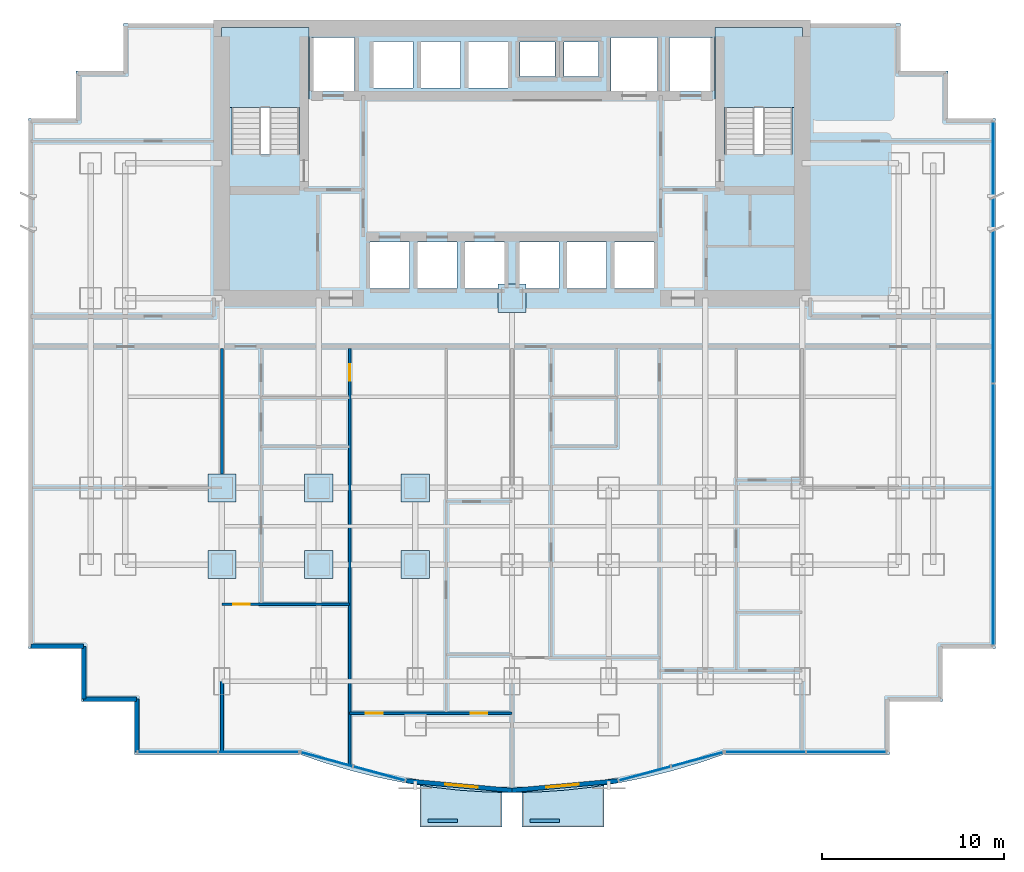
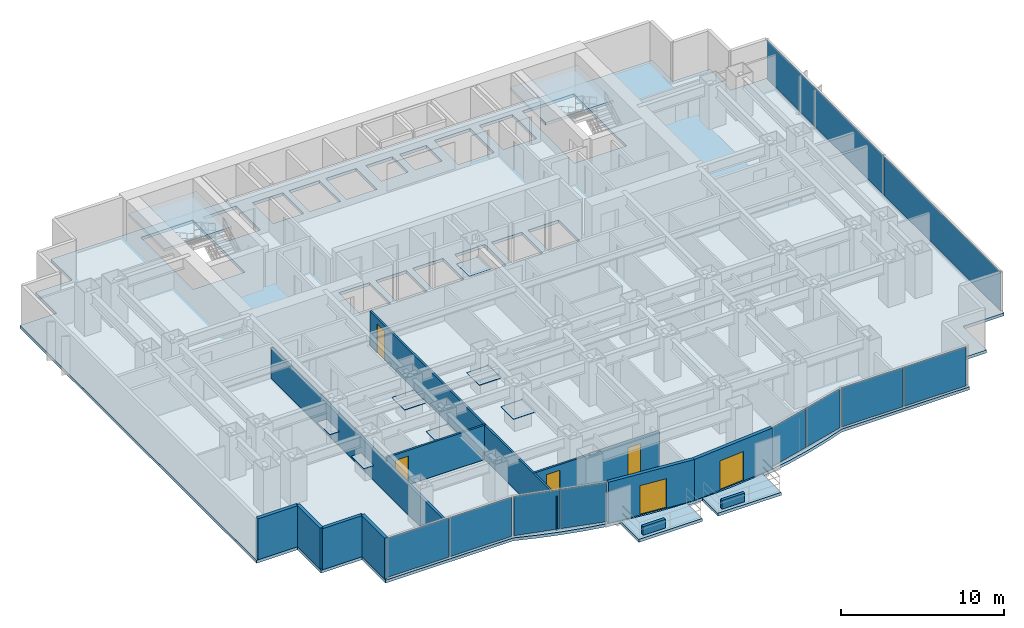
# One storey, part 6 of 12: 17 plates, 12 walls, 6 doors, 5 slabs, 6 openings, 7 elements without a shape of their own.
"""IFC4 building model written with IfcOpenShell, lengths in metres."""

from ifc_helpers import new_model, si_unit, direction, frame, frame_2d, origin, origin_2d, place, context, subcontext, project, spatial, polyline, rectangle, outline, extrude, source, transform, mapped, material, layer, layer_set, type_object, element, fill, aggregate, save


model = new_model("IFC4")

# Units and contexts
model_context = context("Model", 3, precision=1e-05, world=origin(), true_north=direction((0.0, 1.0)))
body_context = subcontext(model_context, "Body", "Model", "MODEL_VIEW")
ifc_project = project(units=[si_unit("LENGTHUNIT", "METRE"), si_unit("AREAUNIT", "SQUARE_METRE"), si_unit("VOLUMEUNIT", "CUBIC_METRE"), si_unit("PLANEANGLEUNIT", "RADIAN"), si_unit("MASSUNIT", "GRAM", prefix="KILO")], contexts=[model_context])

# Site, building, storey
site_placement = place(None, origin())
site = spatial("IfcSite", under=ifc_project, at=site_placement, CompositionType="ELEMENT")
building_placement = place(site_placement, origin())
building = spatial("IfcBuilding", under=site, at=building_placement, Name="Qianlan Lanfeng Residences", CompositionType="ELEMENT")
storey_placement = place(building_placement, frame((0.0, 0.0, 47.300048828125)))
storey = spatial("IfcBuildingStorey", under=building, at=storey_placement, Name="L12", CompositionType="ELEMENT", Elevation=47.300048828125)

# Slabs
ifc_material_1 = material(Name="Concrete C42", Category="concrete")
ifc_layer_1 = layer(ifc_material_1, 0.219970703125)
ifc_layer_set_1 = layer_set([ifc_layer_1], Name="Concrete C42")
slab_type_1 = type_object("IfcSlabType", Name="S-BAL-220", PredefinedType="FLOOR", material=ifc_layer_set_1)
slab_1_placement = place(storey_placement, frame((0.0, 0.0, -0.219970703125)))
element("IfcSlab", 1, at=slab_1_placement, inside=storey, type_object=slab_type_1, Name="L12 Planted Tree Balcony Slab SB-W", PredefinedType="FLOOR", context=body_context, shape_type="SweptSolid", body=[
    extrude(outline(polyline([(25.949951171875, -1.887939453125), (25.0439453125, -1.866943359375), (23.5869140625, -1.76904296875), (22.131103515625, -1.60498046875), (21.449951171875, -1.4970703125), (21.449951171875, -3.800048828125), (25.949951171875, -3.800048828125), (25.949951171875, -1.887939453125)])), origin(), (0.0, 0.0, 1.0), 0.219970703125),
])
slab_2_placement = place(storey_placement, frame((0.0, 0.0, -0.219970703125)))
element("IfcSlab", 2, at=slab_2_placement, inside=storey, type_object=slab_type_1, Name="L12 Planted Tree Balcony Slab SB-E", PredefinedType="FLOOR", context=body_context, shape_type="SweptSolid", body=[
    extrude(outline(polyline([(31.550048828125, -1.4970703125), (30.868896484375, -1.60498046875), (29.412109375, -1.76904296875), (27.9560546875, -1.866943359375), (27.050048828125, -1.887939453125), (27.050048828125, -3.800048828125), (31.550048828125, -3.800048828125), (31.550048828125, -1.4970703125)])), origin(), (0.0, 0.0, 1.0), 0.219970703125),
])
ifc_layer_2 = layer(ifc_material_1, 0.219970703125)
ifc_layer_set_2 = layer_set([ifc_layer_2], Name="Concrete C42")
slab_type_2 = type_object("IfcSlabType", Name="S-FL-220", PredefinedType="FLOOR", material=ifc_layer_set_2)
slab_3_placement = place(storey_placement, frame((0.0, 0.0, -0.219970703125)))
element("IfcSlab", 3, at=slab_3_placement, inside=storey, type_object=slab_type_2, Name="L12 Structural Floor Slab", PredefinedType="FLOOR", context=body_context, shape_type="SweptSolid", body=[
    extrude(outline(polyline([(0.0, 6.0), (2.89990234375, 6.0), (2.89990234375, 3.10009765625), (5.800048828125, 3.10009765625), (5.800048828125, 0.199951171875), (14.85009765625, 0.199951171875), (16.305908203125, -0.2919921875), (17.761962890625, -0.718994140625), (19.218994140625, -1.080078125), (20.675048828125, -1.375), (22.131103515625, -1.60498046875), (23.5869140625, -1.76904296875), (25.0439453125, -1.866943359375), (26.5, -1.89990234375), (27.9560546875, -1.866943359375), (29.412109375, -1.76904296875), (30.868896484375, -1.60498046875), (32.324951171875, -1.375), (33.781005859375, -1.080078125), (35.237060546875, -0.718994140625), (36.694091796875, -0.2919921875), (38.14990234375, 0.199951171875), (47.199951171875, 0.199951171875), (47.199951171875, 3.10009765625), (50.10009765625, 3.10009765625), (50.10009765625, 6.0), (53.0, 6.0), (53.0, 35.050048828125), (50.39990234375, 35.050048828125), (50.39990234375, 37.64990234375), (47.800048828125, 37.64990234375), (47.800048828125, 40.25), (5.199951171875, 40.25), (5.199951171875, 37.64990234375), (2.60009765625, 37.64990234375), (2.60009765625, 35.050048828125), (0.0, 35.050048828125), (0.0, 6.0)]), holes=[polyline([(11.139892578125, 33.080078125), (11.139892578125, 39.5), (14.820068359375, 39.5), (14.820068359375, 33.080078125), (11.139892578125, 33.080078125)]), polyline([(38.179931640625, 33.080078125), (38.179931640625, 39.5), (41.860107421875, 39.5), (41.860107421875, 33.080078125), (38.179931640625, 33.080078125)]), polyline([(15.52001953125, 36.52001953125), (15.52001953125, 39.47998046875), (17.8798828125, 39.47998046875), (17.8798828125, 36.52001953125), (15.52001953125, 36.52001953125)]), polyline([(35.1201171875, 36.52001953125), (35.1201171875, 39.47998046875), (37.47998046875, 39.47998046875), (37.47998046875, 36.52001953125), (35.1201171875, 36.52001953125)]), polyline([(31.919921875, 36.52001953125), (31.919921875, 39.47998046875), (34.47998046875, 39.47998046875), (34.47998046875, 36.52001953125), (31.919921875, 36.52001953125)]), polyline([(18.719970703125, 25.719970703125), (18.719970703125, 28.280029296875), (20.8798828125, 28.280029296875), (20.8798828125, 25.719970703125), (18.719970703125, 25.719970703125)]), polyline([(21.320068359375, 25.719970703125), (21.320068359375, 28.280029296875), (23.47998046875, 28.280029296875), (23.47998046875, 25.719970703125), (21.320068359375, 25.719970703125)]), polyline([(23.919921875, 25.719970703125), (23.919921875, 28.280029296875), (26.080078125, 28.280029296875), (26.080078125, 25.719970703125), (23.919921875, 25.719970703125)]), polyline([(26.919921875, 25.719970703125), (26.919921875, 28.280029296875), (29.080078125, 28.280029296875), (29.080078125, 25.719970703125), (26.919921875, 25.719970703125)]), polyline([(29.52001953125, 25.719970703125), (29.52001953125, 28.280029296875), (31.679931640625, 28.280029296875), (31.679931640625, 25.719970703125), (29.52001953125, 25.719970703125)]), polyline([(32.1201171875, 25.719970703125), (32.1201171875, 28.280029296875), (34.280029296875, 28.280029296875), (34.280029296875, 25.719970703125), (32.1201171875, 25.719970703125)]), polyline([(18.919921875, 36.719970703125), (18.919921875, 39.280029296875), (21.080078125, 39.280029296875), (21.080078125, 36.719970703125), (18.919921875, 36.719970703125)]), polyline([(21.52001953125, 36.719970703125), (21.52001953125, 39.280029296875), (23.679931640625, 39.280029296875), (23.679931640625, 36.719970703125), (21.52001953125, 36.719970703125)]), polyline([(24.1201171875, 36.719970703125), (24.1201171875, 39.280029296875), (26.280029296875, 39.280029296875), (26.280029296875, 36.719970703125), (24.1201171875, 36.719970703125)]), polyline([(26.949951171875, 37.35009765625), (26.949951171875, 39.25), (28.85009765625, 39.25), (28.85009765625, 37.35009765625), (26.949951171875, 37.35009765625)]), polyline([(29.35009765625, 37.35009765625), (29.35009765625, 39.25), (31.25, 39.25), (31.25, 37.35009765625), (29.35009765625, 37.35009765625)])]), origin(), (0.0, 0.0, 1.0), 0.219970703125),
])

# Stair, slab
stair_type = type_object("IfcStairType", Name="STR-MAIN", PredefinedType="HALF_TURN_STAIR", material=ifc_material_1)
stair_1_placement = place(storey_placement, origin())
stair_1 = element("IfcStair", 4, at=stair_1_placement, inside=storey, type_object=stair_type, Name="L12 Exit Stair ST-1", PredefinedType="HALF_TURN_STAIR")
ifc_layer_3 = layer(ifc_material_1, 0.179931640625)
ifc_layer_set_3 = layer_set([ifc_layer_3], Name="Concrete C42")
slab_type_3 = type_object("IfcSlabType", Name="S-LND-180", PredefinedType="LANDING", material=ifc_layer_set_3)
slab_4_placement = place(storey_placement, frame((0.0, 0.0, 1.449951171875)))
slab_4 = element("IfcSlab", 5, at=slab_4_placement, type_object=slab_type_3, Name="ST-1 landing 1", PredefinedType="LANDING", context=body_context, shape_type="SweptSolid", body=[
    extrude(outline(polyline([(10.580078125, 35.659912109375), (15.3798828125, 35.659912109375), (15.3798828125, 40.050048828125), (10.580078125, 40.050048828125), (10.580078125, 35.659912109375)])), origin(), (0.0, 0.0, 1.0), 0.199951171875),
])
aggregate(stair_1, [slab_4])

stair_2_placement = place(storey_placement, origin())
stair_2 = element("IfcStair", 6, at=stair_2_placement, inside=storey, type_object=stair_type, Name="L12 Exit Stair ST-2", PredefinedType="HALF_TURN_STAIR")
slab_5_placement = place(storey_placement, frame((0.0, 0.0, 1.449951171875)))
slab_5 = element("IfcSlab", 7, at=slab_5_placement, type_object=slab_type_3, Name="ST-2 landing 1", PredefinedType="LANDING", context=body_context, shape_type="SweptSolid", body=[
    extrude(outline(polyline([(37.6201171875, 35.659912109375), (42.419921875, 35.659912109375), (42.419921875, 40.050048828125), (37.6201171875, 40.050048828125), (37.6201171875, 35.659912109375)])), origin(), (0.0, 0.0, 1.0), 0.199951171875),
])
aggregate(stair_2, [slab_5])

# Plates
ifc_material_2 = material(Name="Steel SN490B", Category="steel")
ifc_layer_4 = layer(ifc_material_2, 0.031982421875)
ifc_layer_set_4 = layer_set([ifc_layer_4], Name="Steel SN490B")
plate_type_1 = type_object("IfcPlateType", Name="NP-CAP-32", PredefinedType="USERDEFINED", material=ifc_layer_set_4)
shared_shape_1 = source(origin(), body_context, "Body", "SweptSolid", [
    extrude(rectangle(XDim=1.550048828125, YDim=1.550048828125, at=origin_2d()), origin(), (0.0, 0.0, 1.0), 0.031982421875),
])
for number, where, z_axis, x_axis, name in (
    (8, (26.5, 25.199951171875, 1.083984375), (0.0, 0.0, 1.0), (1.0, 0.0, 0.0), "L12 Column Splice Cap Plate 1"),
    (9, (10.60009765625, 14.800048828125, 1.083984375), (0.0, 0.0, 1.0), (1.0, 0.0, 0.0), "L12 Column Splice Cap Plate 2"),
    (10, (10.60009765625, 10.60009765625, 1.083984375), (0.0, 0.0, 1.0), (1.0, 0.0, 0.0), "L12 Column Splice Cap Plate 3"),
    (11, (15.89990234375, 14.800048828125, 1.083984375), (0.0, 0.0, 1.0), (1.0, 0.0, 0.0), "L12 Column Splice Cap Plate 4"),
    (12, (15.89990234375, 10.60009765625, 1.083984375), (0.0, 0.0, 1.0), (1.0, 0.0, 0.0), "L12 Column Splice Cap Plate 5"),
    (13, (21.199951171875, 14.800048828125, 1.083984375), (0.0, 0.0, 1.0), (1.0, 0.0, 0.0), "L12 Column Splice Cap Plate 6"),
    (14, (21.199951171875, 10.60009765625, 1.083984375), (0.0, 0.0, 1.0), (1.0, 0.0, 0.0), "L12 Column Splice Cap Plate 7"),
):
    element("IfcPlate", number, at=place(storey_placement, frame(where, z_axis=z_axis, x_axis=x_axis)), inside=storey, type_object=plate_type_1, Name=name, ObjectType="SPLICE_PLATE", PredefinedType="USERDEFINED", context=body_context, shape_type="MappedRepresentation", body=[
        mapped(shared_shape_1, transform((0.0, 0.0, 0.0), scale=1.0)),
    ])

# Curtain wall, plates
ifc_material_3 = material(Name="Anodised Bronze Aluminium 6063-T6", Category="aluminium")
ifc_layer_5 = layer(ifc_material_3, 0.219970703125)
ifc_layer_set_5 = layer_set([ifc_layer_5], Name="Anodised Bronze Aluminium 6063-T6")
curtain_wall_type = type_object("IfcCurtainWallType", Name="CW-02", PredefinedType="NOTDEFINED", material=ifc_layer_set_5)
curtain_wall_1_placement = place(storey_placement, origin())
curtain_wall_1 = element("IfcCurtainWall", 15, at=curtain_wall_1_placement, inside=storey, type_object=curtain_wall_type, Name="L12 Unitised Curtain Wall CWR-L12-01 (CW-02)", PredefinedType="NOTDEFINED")
ifc_material_4 = material(Name="Clear Low-E Insulated Glass", Category="glass")
ifc_layer_6 = layer(ifc_material_4, 0.035888671875)
ifc_layer_set_6 = layer_set([ifc_layer_6], Name="Clear Low-E Insulated Glass")
plate_type_2 = type_object("IfcPlateType", Name="PNL-GLZ-CLR", PredefinedType="CURTAIN_PANEL", material=ifc_layer_set_6)
shared_shape_2 = source(origin(), body_context, "Body", "SweptSolid", [
    extrude(rectangle(XDim=4.35693359375, YDim=0.035888671875, at=origin_2d()), origin(), (0.0, 0.0, 1.0), 2.922119140625),
])
plate_1_placement = place(storey_placement, frame((8.177490234375, 0.320068359375, 0.0791015625), z_axis=(0.0, 0.0, 1.0), x_axis=(1.0, 0.0, 0.0)))
plate_1 = element("IfcPlate", 16, at=plate_1_placement, type_object=plate_type_2, Name="CWR-L12-01 Curtain Panel 1", PredefinedType="CURTAIN_PANEL", context=body_context, shape_type="MappedRepresentation", body=[
    mapped(shared_shape_2, transform((0.0, 0.0, 0.0), scale=1.0)),
])
plate_2_placement = place(storey_placement, frame((12.612548828125, 0.320068359375, 0.0791015625), z_axis=(0.0, 0.0, 1.0), x_axis=(1.0, 0.0, 0.0)))
plate_2 = element("IfcPlate", 17, at=plate_2_placement, type_object=plate_type_2, Name="CWR-L12-01 Curtain Panel 2", PredefinedType="CURTAIN_PANEL", context=body_context, shape_type="MappedRepresentation", body=[
    mapped(shared_shape_2, transform((0.0, 0.0, 0.0), scale=1.0)),
])
aggregate(curtain_wall_1, [plate_1, plate_2])

# Curtain wall, plate
curtain_wall_2_placement = place(storey_placement, origin())
curtain_wall_2 = element("IfcCurtainWall", 18, at=curtain_wall_2_placement, inside=storey, type_object=curtain_wall_type, Name="L12 Unitised Curtain Wall CWR-L12-04 (CW-02)", PredefinedType="NOTDEFINED")
plate_3_placement = place(storey_placement, frame((40.387451171875, 0.320068359375, 0.0791015625), z_axis=(0.0, 0.0, 1.0), x_axis=(1.0, 0.0, 0.0)))
plate_3 = element("IfcPlate", 19, at=plate_3_placement, type_object=plate_type_2, Name="CWR-L12-04 Curtain Panel 1", PredefinedType="CURTAIN_PANEL", context=body_context, shape_type="MappedRepresentation", body=[
    mapped(shared_shape_2, transform((0.0, 0.0, 0.0), scale=1.0)),
])

curtain_wall_3_placement = place(storey_placement, origin())
curtain_wall_3 = element("IfcCurtainWall", 20, at=curtain_wall_3_placement, inside=storey, type_object=curtain_wall_type, Name="L12 Unitised Curtain Wall CWR-L12-02 (CW-02)", PredefinedType="NOTDEFINED")
shared_shape_3 = source(origin(), body_context, "Body", "SweptSolid", [
    extrude(rectangle(XDim=2.89990234375, YDim=0.035888671875, at=origin_2d()), origin(), (0.0, 0.0, 1.0), 2.922119140625),
])
plate_4_placement = place(storey_placement, frame((16.345703125, -0.07958984375, 0.0791015625), z_axis=(0.0, 0.0, 1.0), x_axis=(0.9652627173, -0.261281240412, 0.0)))
plate_4 = element("IfcPlate", 21, at=plate_4_placement, type_object=plate_type_2, Name="CWR-L12-02 Curtain Panel 1", PredefinedType="CURTAIN_PANEL", context=body_context, shape_type="MappedRepresentation", body=[
    mapped(shared_shape_3, transform((0.0, 0.0, 0.0), scale=1.0)),
])

# Curtain wall, plates
curtain_wall_4_placement = place(storey_placement, origin())
curtain_wall_4 = element("IfcCurtainWall", 22, at=curtain_wall_4_placement, inside=storey, type_object=curtain_wall_type, Name="L12 Unitised Curtain Wall CWR-L12-03 (CW-02)", PredefinedType="NOTDEFINED")
plate_5_placement = place(storey_placement, frame((33.77978515625, -0.857421875, 0.0791015625), z_axis=(0.0, 0.0, 1.0), x_axis=(0.9652627173, 0.261281240412, 0.0)))
plate_5 = element("IfcPlate", 23, at=plate_5_placement, type_object=plate_type_2, Name="CWR-L12-03 Curtain Panel 1", PredefinedType="CURTAIN_PANEL", context=body_context, shape_type="MappedRepresentation", body=[
    mapped(shared_shape_3, transform((0.0, 0.0, 0.0), scale=1.0)),
])
plate_6_placement = place(storey_placement, frame((36.654296875, -0.07958984375, 0.0791015625), z_axis=(0.0, 0.0, 1.0), x_axis=(0.9652627173, 0.261281240412, 0.0)))
plate_6 = element("IfcPlate", 24, at=plate_6_placement, type_object=plate_type_2, Name="CWR-L12-03 Curtain Panel 2", PredefinedType="CURTAIN_PANEL", context=body_context, shape_type="MappedRepresentation", body=[
    mapped(shared_shape_3, transform((0.0, 0.0, 0.0), scale=1.0)),
])
aggregate(curtain_wall_4, [plate_5, plate_6])

# Plate
ifc_material_5 = material(Name="Perforated Champagne Gold Aluminium Panel", Category="aluminium")
ifc_layer_7 = layer(ifc_material_5, 0.0400390625)
ifc_layer_set_7 = layer_set([ifc_layer_7], Name="Perforated Champagne Gold Aluminium Panel")
plate_type_3 = type_object("IfcPlateType", Name="PNL-PRF-GLD", PredefinedType="CURTAIN_PANEL", material=ifc_layer_set_7)
shared_shape_4 = source(origin(), body_context, "Body", "SweptSolid", [
    extrude(rectangle(XDim=2.89990234375, YDim=0.0400390625, at=origin_2d()), origin(), (0.0, 0.0, 1.0), 2.922119140625),
])
plate_7_placement = place(storey_placement, frame((19.22021484375, -0.857421875, 0.0791015625), z_axis=(0.0, 0.0, 1.0), x_axis=(0.9652627173, -0.261281240412, 0.0)))
plate_7 = element("IfcPlate", 25, at=plate_7_placement, type_object=plate_type_3, Name="CWR-L12-02 Curtain Panel 2", PredefinedType="CURTAIN_PANEL", context=body_context, shape_type="MappedRepresentation", body=[
    mapped(shared_shape_4, transform((0.0, 0.0, 0.0), scale=1.0)),
])

aggregate(curtain_wall_3, [plate_4, plate_7])

shared_shape_5 = source(origin(), body_context, "Body", "SweptSolid", [
    extrude(rectangle(XDim=4.35693359375, YDim=0.0400390625, at=origin_2d()), origin(), (0.0, 0.0, 1.0), 2.922119140625),
])
plate_8_placement = place(storey_placement, frame((44.822509765625, 0.320068359375, 0.0791015625), z_axis=(0.0, 0.0, 1.0), x_axis=(1.0, 0.0, 0.0)))
plate_8 = element("IfcPlate", 26, at=plate_8_placement, type_object=plate_type_3, Name="CWR-L12-04 Curtain Panel 2", PredefinedType="CURTAIN_PANEL", context=body_context, shape_type="MappedRepresentation", body=[
    mapped(shared_shape_5, transform((0.0, 0.0, 0.0), scale=1.0)),
])

aggregate(curtain_wall_2, [plate_3, plate_8])

# Curtain wall, plates
curtain_wall_5_placement = place(storey_placement, origin())
curtain_wall_5 = element("IfcCurtainWall", 27, at=curtain_wall_5_placement, inside=storey, type_object=curtain_wall_type, Name="L12 Unitised Curtain Wall CWR-L12-05 (CW-02)", PredefinedType="NOTDEFINED")
shared_shape_6 = source(origin(), body_context, "Body", "SweptSolid", [
    extrude(rectangle(XDim=14.287109375, YDim=0.035888671875, at=origin_2d()), origin(), (0.0, 0.0, 1.0), 2.922119140625),
])
plate_9_placement = place(storey_placement, frame((52.8798828125, 13.342529296875, 0.0791015625), z_axis=(0.0, 0.0, 1.0), x_axis=(0.0, 1.0, 0.0)))
plate_9 = element("IfcPlate", 28, at=plate_9_placement, type_object=plate_type_2, Name="CWR-L12-05 Curtain Panel 1", PredefinedType="CURTAIN_PANEL", context=body_context, shape_type="MappedRepresentation", body=[
    mapped(shared_shape_6, transform((0.0, 0.0, 0.0), scale=1.0)),
])
plate_10_placement = place(storey_placement, frame((52.8798828125, 27.70751953125, 0.0791015625), z_axis=(0.0, 0.0, 1.0), x_axis=(0.0, 1.0, 0.0)))
plate_10 = element("IfcPlate", 29, at=plate_10_placement, type_object=plate_type_2, Name="CWR-L12-05 Curtain Panel 2", PredefinedType="CURTAIN_PANEL", context=body_context, shape_type="MappedRepresentation", body=[
    mapped(shared_shape_6, transform((0.0, 0.0, 0.0), scale=1.0)),
])
aggregate(curtain_wall_5, [plate_9, plate_10])

# Walls
ifc_layer_8 = layer(ifc_material_1, 0.239990234375)
ifc_layer_set_8 = layer_set([ifc_layer_8], Name="Concrete C42")
wall_type_1 = type_object("IfcWallType", Name="EW-240", PredefinedType="SOLIDWALL", material=ifc_layer_set_8)
wall_1_placement = place(storey_placement, frame((0.1201171875, 6.1201171875, 0.0), z_axis=(0.0, 0.0, 1.0), x_axis=(1.0, 0.0, 0.0)))
element("IfcWall", 30, at=wall_1_placement, inside=storey, type_object=wall_type_1, Name="L12 Exterior Facade Spandrel Wall 1", PredefinedType="SOLIDWALL", context=body_context, shape_type="SweptSolid", body=[
    extrude(rectangle(XDim=2.89990234375, YDim=0.239990234375, at=frame_2d((1.449951171875, 0.0))), origin(), (0.0, 0.0, 1.0), 3.079833984375),
])
wall_2_placement = place(storey_placement, frame((3.02001953125, 6.1201171875, 0.0), z_axis=(0.0, 0.0, 1.0), x_axis=(0.0, -1.0, 0.0)))
element("IfcWall", 31, at=wall_2_placement, inside=storey, type_object=wall_type_1, Name="L12 Exterior Facade Spandrel Wall 2", PredefinedType="SOLIDWALL", context=body_context, shape_type="SweptSolid", body=[
    extrude(rectangle(XDim=2.900146484375, YDim=0.239990234375, at=frame_2d((1.4501953125, 0.0))), origin(), (0.0, 0.0, 1.0), 3.079833984375),
])
for number, where, z_axis, x_axis, name in (
    (32, (3.02001953125, 3.219970703125, 0.0), (0.0, 0.0, 1.0), (1.0, 0.0, 0.0), "L12 Exterior Facade Spandrel Wall 3"),
    (33, (5.919921875, 3.219970703125, 0.0), (0.0, 0.0, 1.0), (0.0, -1.0, 0.0), "L12 Exterior Facade Spandrel Wall 4"),
):
    element("IfcWall", number, at=place(storey_placement, frame(where, z_axis=z_axis, x_axis=x_axis)), inside=storey, type_object=wall_type_1, Name=name, PredefinedType="SOLIDWALL", context=body_context, shape_type="SweptSolid", body=[
        extrude(rectangle(XDim=2.89990234375, YDim=0.239990234375, at=frame_2d((1.449951171875, 0.0))), origin(), (0.0, 0.0, 1.0), 3.079833984375),
    ])

# Wall, opening, door
wall_3_placement = place(storey_placement, frame((20.696044921875, -1.257080078125, 0.0), z_axis=(0.0, 0.0, 1.0), x_axis=(0.995965344947, -0.089738685436, 0.0)))
wall_3 = element("IfcWall", 34, at=wall_3_placement, inside=storey, type_object=wall_type_1, Name="L12 Terrace/Balcony Access Exterior Wall 5", PredefinedType="SOLIDWALL", context=body_context, shape_type="SweptSolid", body=[
    extrude(rectangle(XDim=5.827392578125, YDim=0.239990234375, at=frame_2d((2.91357421875, 0.0))), origin(), (0.0, 0.0, 1.0), 3.079833984375),
])
opening_1_placement = place(wall_3_placement, frame((2.14794921875, 0.0, 0.0)))
opening_1 = element("IfcOpeningElement", 35, at=opening_1_placement, cuts=wall_3, Name="Opening L12-D-SB-W", PredefinedType="OPENING", context=body_context, shape_type="SweptSolid", body=[
    extrude(rectangle(XDim=1.800048828125, YDim=2.199951171875, at=frame_2d((0.89990234375, 1.10009765625))), frame((0.0, 0.1298828125, 0.0), z_axis=(0.0, -1.0, 0.0), x_axis=(1.0, 0.0, 0.0)), (0.0, 0.0, 1.0), 0.260009765625),
])
ifc_material_6 = material(Name="Anodised Bronze Aluminium Framed Glass", Category="aluminium")
door_type_1 = type_object("IfcDoorType", Name="DT-BAL1", OperationType="NOTDEFINED", PredefinedType="DOOR", material=ifc_material_6)
door_1_placement = place(opening_1_placement, frame((1.800048828125, 0.0, 0.0), z_axis=(0.0, 0.0, 1.0), x_axis=(-1.0, 0.0, 0.0)))
door_1 = element("IfcDoor", 36, at=door_1_placement, inside=storey, type_object=door_type_1, Name="L12 Exterior Access Door SB-W", OperationType="DOUBLE_DOOR_SLIDING", OverallHeight=2.199951171875, OverallWidth=1.800048828125, PredefinedType="DOOR", context=body_context, shape_type="SweptSolid", body=[
    extrude(rectangle(XDim=1.800048828125, YDim=2.199951171875, at=frame_2d((0.89990234375, 1.10009765625))), frame((0.0, 0.02490234375, 0.0), z_axis=(0.0, -1.0, 0.0), x_axis=(1.0, 0.0, 0.0)), (0.0, 0.0, 1.0), 0.050048828125),
])
fill(opening_1, door_1)

wall_4_placement = place(storey_placement, frame((26.5, -1.780029296875, 0.0), z_axis=(0.0, 0.0, 1.0), x_axis=(0.995965344947, 0.089738685436, 0.0)))
wall_4 = element("IfcWall", 37, at=wall_4_placement, inside=storey, type_object=wall_type_1, Name="L12 Terrace/Balcony Access Exterior Wall 6", PredefinedType="SOLIDWALL", context=body_context, shape_type="SweptSolid", body=[
    extrude(rectangle(XDim=5.827392578125, YDim=0.239990234375, at=frame_2d((2.91357421875, 0.0))), origin(), (0.0, 0.0, 1.0), 3.079833984375),
])
opening_2_placement = place(wall_4_placement, frame((1.8798828125, 0.0, 0.0)))
opening_2 = element("IfcOpeningElement", 38, at=opening_2_placement, cuts=wall_4, Name="Opening L12-D-SB-E", PredefinedType="OPENING", context=body_context, shape_type="SweptSolid", body=[
    extrude(rectangle(XDim=1.800048828125, YDim=2.199951171875, at=frame_2d((0.89990234375, 1.10009765625))), frame((0.0, 0.1298828125, 0.0), z_axis=(0.0, -1.0, 0.0), x_axis=(1.0, 0.0, 0.0)), (0.0, 0.0, 1.0), 0.260009765625),
])
door_2_placement = place(opening_2_placement, frame((1.800048828125, 0.0, 0.0), z_axis=(0.0, 0.0, 1.0), x_axis=(-1.0, 0.0, 0.0)))
door_2 = element("IfcDoor", 39, at=door_2_placement, inside=storey, type_object=door_type_1, Name="L12 Exterior Access Door SB-E", OperationType="DOUBLE_DOOR_SLIDING", OverallHeight=2.199951171875, OverallWidth=1.800048828125, PredefinedType="DOOR", context=body_context, shape_type="SweptSolid", body=[
    extrude(rectangle(XDim=1.800048828125, YDim=2.199951171875, at=frame_2d((0.89990234375, 1.10009765625))), frame((0.0, 0.02490234375, 0.0), z_axis=(0.0, -1.0, 0.0), x_axis=(1.0, 0.0, 0.0)), (0.0, 0.0, 1.0), 0.050048828125),
])
fill(opening_2, door_2)

# Walls
ifc_layer_9 = layer(ifc_material_1, 0.199951171875)
ifc_layer_set_9 = layer_set([ifc_layer_9], Name="Concrete C42")
wall_type_2 = type_object("IfcWallType", Name="PL-TREE-200", PredefinedType="PARAPET", material=ifc_layer_set_9)
for number, where, z_axis, x_axis, name in (
    (40, (21.89990234375, -3.449951171875, 0.0), (0.0, 0.0, 1.0), (1.0, 0.0, 0.0), "L12 Balcony Tree Planter Curb SB-W"),
    (41, (27.5, -3.449951171875, 0.0), (0.0, 0.0, 1.0), (1.0, 0.0, 0.0), "L12 Balcony Tree Planter Curb SB-E"),
):
    element("IfcWall", number, at=place(storey_placement, frame(where, z_axis=z_axis, x_axis=x_axis)), inside=storey, type_object=wall_type_2, Name=name, PredefinedType="PARAPET", context=body_context, shape_type="SweptSolid", body=[
        extrude(rectangle(XDim=1.60009765625, YDim=0.199951171875, at=frame_2d((0.800048828125, 0.0))), origin(), (0.0, 0.0, 1.0), 0.64990234375),
    ])

# Wall, opening, door
ifc_material_7 = material(Name="Moisture-Resistant Gypsum Partition 135 mm")
ifc_layer_10 = layer(ifc_material_7, 0.135009765625)
ifc_layer_set_10 = layer_set([ifc_layer_10], Name="Moisture-Resistant Gypsum Partition 135 mm")
wall_type_3 = type_object("IfcWallType", Name="PW-135", PredefinedType="PARTITIONING", material=ifc_layer_set_10)
wall_5_placement = place(storey_placement, frame((17.60009765625, -0.44189453125, 0.0), z_axis=(0.0, 0.0, 1.0), x_axis=(0.0, 1.0, 0.0)))
wall_5 = element("IfcWall", 42, at=wall_5_placement, inside=storey, type_object=wall_type_3, Name="L12 U01 Bay Spine Wall 1", PredefinedType="PARTITIONING", context=body_context, shape_type="SweptSolid", body=[
    extrude(rectangle(XDim=22.891845703125, YDim=0.135009765625, at=frame_2d((11.44580078125, 0.0))), origin(), (0.0, 0.0, 1.0), 2.570068359375),
])
opening_3_placement = place(wall_5_placement, frame((21.10693359375, 0.0, 0.0)))
opening_3 = element("IfcOpeningElement", 43, at=opening_3_placement, cuts=wall_5, Name="Opening L12-D16", PredefinedType="OPENING", context=body_context, shape_type="SweptSolid", body=[
    extrude(rectangle(XDim=0.919921875, YDim=2.14990234375, at=frame_2d((0.4599609375, 1.074951171875))), frame((0.0, 0.07763671875, 0.0), z_axis=(0.0, -1.0, 0.0), x_axis=(1.0, 0.0, 0.0)), (0.0, 0.0, 1.0), 0.155029296875),
])
ifc_material_8 = material(Name="Glazed Timber Kitchen/Study Door", Category="wood")
door_type_2 = type_object("IfcDoorType", Name="DT-INT", OperationType="NOTDEFINED", PredefinedType="DOOR", material=ifc_material_8)
door_3_placement = place(opening_3_placement, origin())
door_3 = element("IfcDoor", 44, at=door_3_placement, inside=storey, type_object=door_type_2, Name="L12 U01 Internal Hall Door L12-D16 (DT-INT)", OperationType="SINGLE_SWING_RIGHT", OverallHeight=2.14990234375, OverallWidth=0.919921875, PredefinedType="DOOR", context=body_context, shape_type="SweptSolid", body=[
    extrude(rectangle(XDim=0.919921875, YDim=2.14990234375, at=frame_2d((0.4599609375, 1.074951171875))), frame((0.0, 0.02490234375, 0.0), z_axis=(0.0, -1.0, 0.0), x_axis=(1.0, 0.0, 0.0)), (0.0, 0.0, 1.0), 0.050048828125),
])
fill(opening_3, door_3)

wall_6_placement = place(storey_placement, frame((10.60009765625, 8.419921875, 0.0), z_axis=(0.0, 0.0, 1.0), x_axis=(1.0, 0.0, 0.0)))
wall_6 = element("IfcWall", 45, at=wall_6_placement, inside=storey, type_object=wall_type_3, Name="L12 U01 Living Divider", PredefinedType="PARTITIONING", context=body_context, shape_type="SweptSolid", body=[
    extrude(rectangle(XDim=7.0, YDim=0.135009765625, at=frame_2d((3.5, 0.0))), origin(), (0.0, 0.0, 1.0), 2.570068359375),
])
opening_4_placement = place(wall_6_placement, frame((0.614990234375, 0.0, 0.0)))
opening_4 = element("IfcOpeningElement", 46, at=opening_4_placement, cuts=wall_6, Name="Opening L12-D17", PredefinedType="OPENING", context=body_context, shape_type="SweptSolid", body=[
    extrude(rectangle(XDim=0.919921875, YDim=2.14990234375, at=frame_2d((0.4599609375, 1.074951171875))), frame((0.0, 0.07763671875, 0.0), z_axis=(0.0, -1.0, 0.0), x_axis=(1.0, 0.0, 0.0)), (0.0, 0.0, 1.0), 0.155029296875),
])
door_4_placement = place(opening_4_placement, frame((0.919921875, 0.0, 0.0), z_axis=(0.0, 0.0, 1.0), x_axis=(-1.0, 0.0, 0.0)))
door_4 = element("IfcDoor", 47, at=door_4_placement, inside=storey, type_object=door_type_2, Name="L12 U01 Living Passage Door L12-D17 (DT-INT)", OperationType="SINGLE_SWING_RIGHT", OverallHeight=2.14990234375, OverallWidth=0.919921875, PredefinedType="DOOR", context=body_context, shape_type="SweptSolid", body=[
    extrude(rectangle(XDim=0.919921875, YDim=2.14990234375, at=frame_2d((0.4599609375, 1.074951171875))), frame((0.0, 0.02490234375, 0.0), z_axis=(0.0, -1.0, 0.0), x_axis=(1.0, 0.0, 0.0)), (0.0, 0.0, 1.0), 0.050048828125),
])
fill(opening_4, door_4)

# Wall, openings, doors
wall_7_placement = place(storey_placement, frame((17.60009765625, 2.450927734375, 0.0), z_axis=(0.0, 0.0, 1.0), x_axis=(1.0, 0.0, 0.0)))
wall_7 = element("IfcWall", 48, at=wall_7_placement, inside=storey, type_object=wall_type_3, Name="L12 U01 Master Bedroom North Wall", PredefinedType="PARTITIONING", context=body_context, shape_type="SweptSolid", body=[
    extrude(rectangle(XDim=8.89990234375, YDim=0.135009765625, at=frame_2d((4.449951171875, 0.0))), origin(), (0.0, 0.0, 1.0), 2.570068359375),
])
opening_5_placement = place(wall_7_placement, frame((0.875, 0.0, 0.0)))
opening_5 = element("IfcOpeningElement", 49, at=opening_5_placement, cuts=wall_7, Name="Opening L12-D21", PredefinedType="OPENING", context=body_context, shape_type="SweptSolid", body=[
    extrude(rectangle(XDim=0.949951171875, YDim=2.14990234375, at=frame_2d((0.47509765625, 1.074951171875))), frame((0.0, 0.07763671875, 0.0), z_axis=(0.0, -1.0, 0.0), x_axis=(1.0, 0.0, 0.0)), (0.0, 0.0, 1.0), 0.155029296875),
])
opening_6_placement = place(wall_7_placement, frame((6.64990234375, 0.0, 0.0)))
opening_6 = element("IfcOpeningElement", 50, at=opening_6_placement, cuts=wall_7, Name="Opening L12-D22", PredefinedType="OPENING", context=body_context, shape_type="SweptSolid", body=[
    extrude(rectangle(XDim=0.89990234375, YDim=2.14990234375, at=frame_2d((0.449951171875, 1.074951171875))), frame((0.0, 0.07763671875, 0.0), z_axis=(0.0, -1.0, 0.0), x_axis=(1.0, 0.0, 0.0)), (0.0, 0.0, 1.0), 0.155029296875),
])
ifc_material_9 = material(Name="Painted Solid-Core Timber Leaf", Category="wood")
door_type_3 = type_object("IfcDoorType", Name="DT-BED", OperationType="NOTDEFINED", PredefinedType="DOOR", material=ifc_material_9)
door_5_placement = place(opening_5_placement, origin())
door_5 = element("IfcDoor", 51, at=door_5_placement, inside=storey, type_object=door_type_3, Name="L12 U01 Master Bedroom Door L12-D21 (DT-BED)", OperationType="SINGLE_SWING_RIGHT", OverallHeight=2.14990234375, OverallWidth=0.949951171875, PredefinedType="DOOR", context=body_context, shape_type="SweptSolid", body=[
    extrude(rectangle(XDim=0.949951171875, YDim=2.14990234375, at=frame_2d((0.47509765625, 1.074951171875))), frame((0.0, 0.02490234375, 0.0), z_axis=(0.0, -1.0, 0.0), x_axis=(1.0, 0.0, 0.0)), (0.0, 0.0, 1.0), 0.050048828125),
])
fill(opening_5, door_5)
ifc_material_10 = material(Name="Moisture-Resistant Timber Leaf", Category="wood")
door_type_4 = type_object("IfcDoorType", Name="DT-WC", OperationType="NOTDEFINED", PredefinedType="DOOR", material=ifc_material_10)
door_6_placement = place(opening_6_placement, origin())
door_6 = element("IfcDoor", 52, at=door_6_placement, inside=storey, type_object=door_type_4, Name="L12 U01 En-Suite Bathroom Door L12-D22 (DT-WC)", OperationType="SINGLE_SWING_RIGHT", OverallHeight=2.14990234375, OverallWidth=0.89990234375, PredefinedType="DOOR", context=body_context, shape_type="SweptSolid", body=[
    extrude(rectangle(XDim=0.89990234375, YDim=2.14990234375, at=frame_2d((0.449951171875, 1.074951171875))), frame((0.0, 0.02490234375, 0.0), z_axis=(0.0, -1.0, 0.0), x_axis=(1.0, 0.0, 0.0)), (0.0, 0.0, 1.0), 0.050048828125),
])
fill(opening_6, door_6)

# Wall
ifc_material_11 = material(Name="Double-Layer Acoustic Gypsum Stud Wall 180 mm")
ifc_layer_11 = layer(ifc_material_11, 0.179931640625)
ifc_layer_set_11 = layer_set([ifc_layer_11], Name="Double-Layer Acoustic Gypsum Stud Wall 180 mm")
wall_type_4 = type_object("IfcWallType", Name="PW-180", PredefinedType="PARTITIONING", material=ifc_layer_set_11)
wall_8_placement = place(storey_placement, frame((10.60009765625, 0.419921875, 0.0), z_axis=(0.0, 0.0, 1.0), x_axis=(0.0, 1.0, 0.0)))
element("IfcWall", 53, at=wall_8_placement, inside=storey, type_object=wall_type_4, Name="L12 Wing Boundary Party Wall W0", PredefinedType="PARTITIONING", context=body_context, shape_type="SweptSolid", body=[
    extrude(rectangle(XDim=22.030029296875, YDim=0.179931640625, at=frame_2d((11.01513671875, 0.0))), origin(), (0.0, 0.0, 1.0), 2.27490234375),
])

save(model, "model.ifc")
